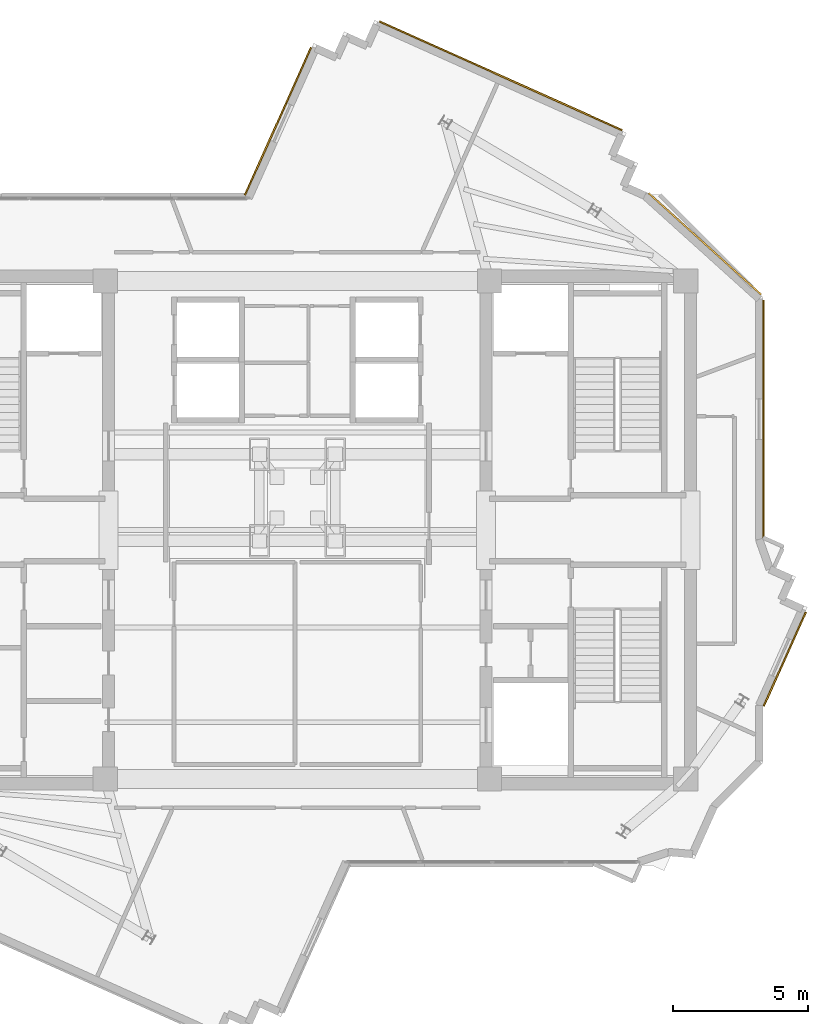
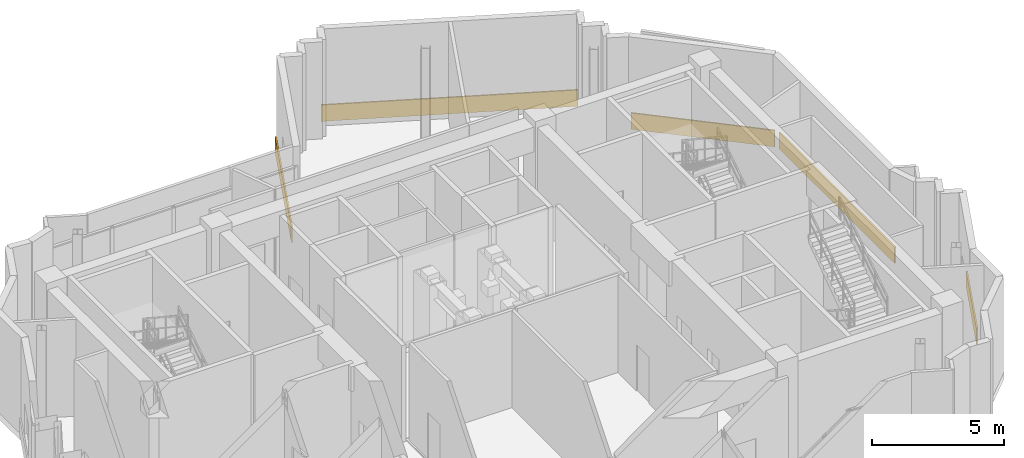
# One storey, part 11 of 11: 5 coverings.
"""IFC4 building model written with IfcOpenShell, lengths in metres."""

from ifc_helpers import new_model, si_unit, direction, frame, origin, origin_2d, place, context, subcontext, project, spatial, rectangle, extrude, source, transform, mapped, material, layer, layer_set, type_object, element, save


model = new_model("IFC4")

# Units and contexts
model_context = context("Model", 3, precision=1e-05, world=origin(), true_north=direction((0.0, 1.0)))
body_context = subcontext(model_context, "Body", "Model", "MODEL_VIEW")
ifc_project = project(units=[si_unit("LENGTHUNIT", "METRE"), si_unit("AREAUNIT", "SQUARE_METRE"), si_unit("VOLUMEUNIT", "CUBIC_METRE"), si_unit("PLANEANGLEUNIT", "RADIAN"), si_unit("MASSUNIT", "GRAM", prefix="KILO")], contexts=[model_context])

# Site, building, storey
site_placement = place(None, origin())
site = spatial("IfcSite", under=ifc_project, at=site_placement, CompositionType="ELEMENT")
building_placement = place(site_placement, origin())
building = spatial("IfcBuilding", under=site, at=building_placement, Name="Zahravan Cultural Tower", CompositionType="ELEMENT")
storey_placement = place(building_placement, frame((0.0, 0.0, 361.050048828125)))
storey = spatial("IfcBuildingStorey", under=building, at=storey_placement, Name="L88", CompositionType="ELEMENT", Elevation=361.050048828125)

# Coverings
ifc_material = material(Name="Terracotta ceramic cladding", Category="masonry")
ifc_layer = layer(ifc_material, 0.06005859375)
ifc_layer_set = layer_set([ifc_layer], Name="Terracotta ceramic cladding")
covering_type = type_object("IfcCoveringType", Name="COV-CLAD-TC60", PredefinedType="CLADDING", material=ifc_layer_set)
shared_shape_1 = source(origin(), body_context, "Body", "SweptSolid", [
    extrude(rectangle(XDim=9.820068359375, YDim=0.06005859375, at=origin_2d()), origin(), (0.0, 0.0, 1.0), 0.760009765625),
])
covering_1_placement = place(storey_placement, frame((43.516845703125, 43.778076171875, 0.02001953125), z_axis=(0.0, 0.0, 1.0), x_axis=(0.912598844378, -0.408856147368, 0.0)))
element("IfcCovering", 1, at=covering_1_placement, inside=storey, type_object=covering_type, Name="L88 Terracotta Spandrel Cladding 18", PredefinedType="CLADDING", context=body_context, shape_type="MappedRepresentation", body=[
    mapped(shared_shape_1, transform((0.0, 0.0, 0.0), x_axis=(1.0, 0.0, 0.0), y_axis=(0.0, 1.0, 0.0), z_axis=(0.0, 0.0, 1.0), scale=1.0)),
])
shared_shape_2 = source(origin(), body_context, "Body", "SweptSolid", [
    extrude(rectangle(XDim=5.592041015625, YDim=0.06005859375, at=origin_2d()), origin(), (0.0, 0.0, 1.0), 0.760009765625),
])
covering_2_placement = place(storey_placement, frame((51.056640625, 37.570068359375, 0.02001953125), z_axis=(0.0, 0.0, 1.0), x_axis=(0.742759310675, -0.669558516043, 0.0)))
element("IfcCovering", 2, at=covering_2_placement, inside=storey, type_object=covering_type, Name="L88 Terracotta Spandrel Cladding 23", PredefinedType="CLADDING", context=body_context, shape_type="MappedRepresentation", body=[
    mapped(shared_shape_2, transform((0.0, 0.0, 0.0), x_axis=(1.0, 0.0, 0.0), y_axis=(0.0, 1.0, 0.0), z_axis=(0.0, 0.0, 1.0), scale=1.0)),
])
shared_shape_3 = source(origin(), body_context, "Body", "SweptSolid", [
    extrude(rectangle(XDim=8.787353515625, YDim=0.06005859375, at=origin_2d()), origin(), (0.0, 0.0, 1.0), 0.760009765625),
])
covering_3_placement = place(storey_placement, frame((53.22509765625, 31.098388671875, 0.02001953125), z_axis=(0.0, 0.0, 1.0), x_axis=(0.0, -1.0, 0.0)))
element("IfcCovering", 3, at=covering_3_placement, inside=storey, type_object=covering_type, Name="L88 Terracotta Spandrel Cladding 24", PredefinedType="CLADDING", context=body_context, shape_type="MappedRepresentation", body=[
    mapped(shared_shape_3, transform((0.0, 0.0, 0.0), x_axis=(1.0, 0.0, 0.0), y_axis=(0.0, 1.0, 0.0), z_axis=(0.0, 0.0, 1.0), scale=1.0)),
])
shared_shape_4 = source(origin(), body_context, "Body", "SweptSolid", [
    extrude(rectangle(XDim=3.802490234375, YDim=0.06005859375, at=origin_2d()), origin(), (0.0, 0.0, 1.0), 0.760009765625),
])
covering_4_placement = place(storey_placement, frame((54.00830078125, 22.22900390625, 0.02001953125), z_axis=(0.0, 0.0, 1.0), x_axis=(-0.408856147368, -0.912598844378, 0.0)))
element("IfcCovering", 4, at=covering_4_placement, inside=storey, type_object=covering_type, Name="L88 Terracotta Spandrel Cladding 29", PredefinedType="CLADDING", context=body_context, shape_type="MappedRepresentation", body=[
    mapped(shared_shape_4, transform((0.0, 0.0, 0.0), x_axis=(1.0, 0.0, 0.0), y_axis=(0.0, 1.0, 0.0), z_axis=(0.0, 0.0, 1.0), scale=1.0)),
])
shared_shape_5 = source(origin(), body_context, "Body", "SweptSolid", [
    extrude(rectangle(XDim=5.969482421875, YDim=0.06005859375, at=origin_2d()), origin(), (0.0, 0.0, 1.0), 0.760009765625),
])
covering_5_placement = place(storey_placement, frame((35.28515625, 42.096923828125, 0.02001953125), z_axis=(0.0, 0.0, 1.0), x_axis=(0.408856147368, 0.912598844378, 0.0)))
element("IfcCovering", 5, at=covering_5_placement, inside=storey, type_object=covering_type, Name="L88 Terracotta Spandrel Cladding 13", PredefinedType="CLADDING", context=body_context, shape_type="MappedRepresentation", body=[
    mapped(shared_shape_5, transform((0.0, 0.0, 0.0), x_axis=(1.0, 0.0, 0.0), y_axis=(0.0, 1.0, 0.0), z_axis=(0.0, 0.0, 1.0), scale=1.0)),
])

save(model, "model.ifc")
